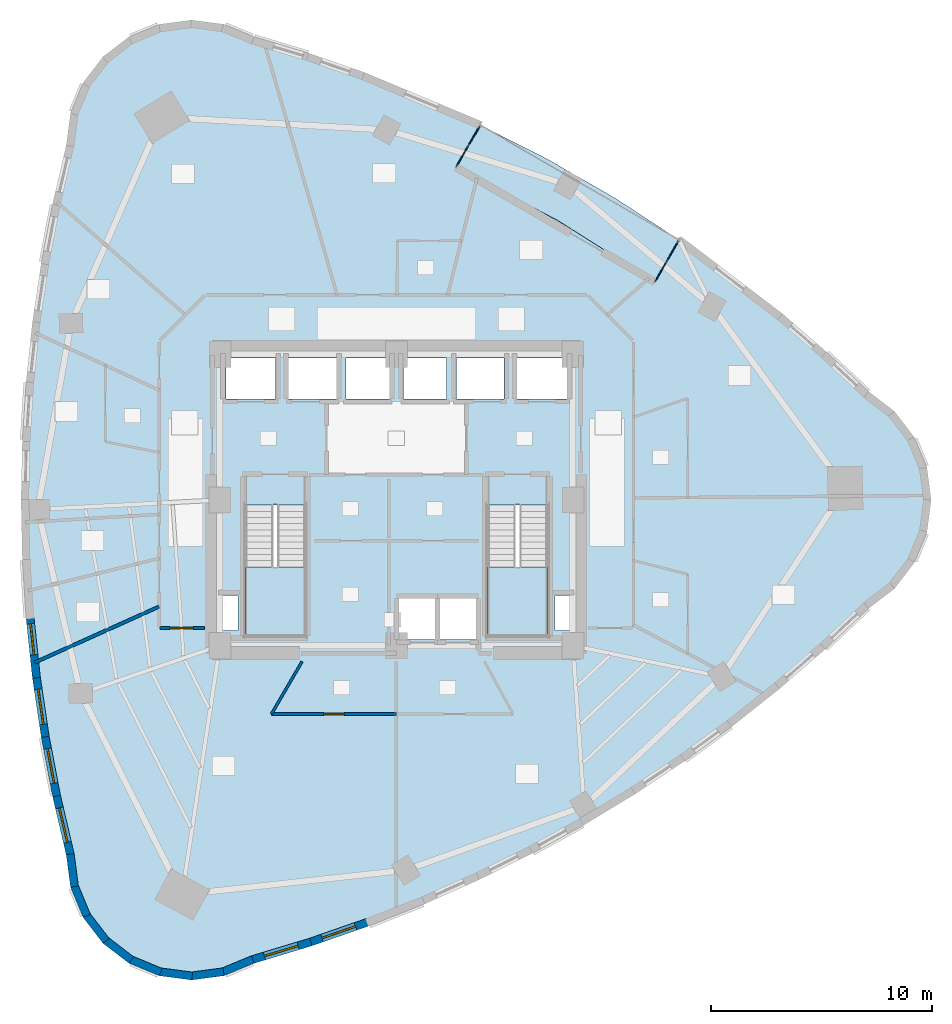
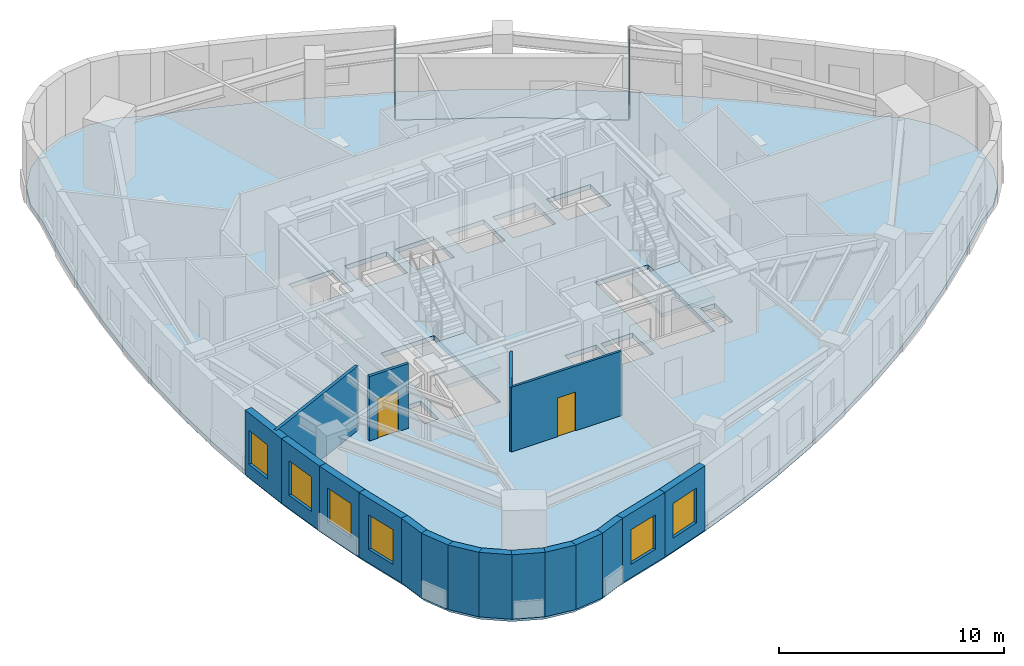
# One storey, part 6 of 13: 18 walls, 12 plates, 6 windows, 4 slabs, 2 doors, 8 openings, 4 elements without a shape of their own.
"""IFC4 building model written with IfcOpenShell, lengths in metres."""

from ifc_helpers import new_model, si_unit, direction, frame, frame_2d, origin, origin_2d, place, context, subcontext, project, spatial, polyline, rectangle, outline, extrude, material, layer, layer_set, type_object, element, fill, aggregate, save


model = new_model("IFC4")

# Units and contexts
model_context = context("Model", 3, precision=1e-05, world=origin(), true_north=direction((0.0, 1.0)))
body_context = subcontext(model_context, "Body", "Model", "MODEL_VIEW")
ifc_project = project(units=[si_unit("LENGTHUNIT", "METRE"), si_unit("AREAUNIT", "SQUARE_METRE"), si_unit("VOLUMEUNIT", "CUBIC_METRE"), si_unit("PLANEANGLEUNIT", "RADIAN"), si_unit("MASSUNIT", "GRAM", prefix="KILO")], contexts=[model_context])

# Site, building, storey
site_placement = place(None, origin())
site = spatial("IfcSite", under=ifc_project, at=site_placement, CompositionType="ELEMENT")
building_placement = place(site_placement, origin())
building = spatial("IfcBuilding", under=site, at=building_placement, Name="Ndelora Gate Hotel", CompositionType="ELEMENT")
storey_placement = place(building_placement, frame((0.0, 0.0, 123.5)))
storey = spatial("IfcBuildingStorey", under=building, at=storey_placement, Name="L30", CompositionType="ELEMENT", Elevation=123.5)

# Curtain wall, plates
ifc_material_1 = material(Name="Bronze Anodised Unitised Aluminium and Low-E Glass", Category="aluminium")
ifc_layer_1 = layer(ifc_material_1, 0.199951171875)
ifc_layer_set_1 = layer_set([ifc_layer_1], Name="Bronze Anodised Unitised Aluminium and Low-E Glass")
curtain_wall_type = type_object("IfcCurtainWallType", Name="CW-SYS-3", PredefinedType="NOTDEFINED", material=ifc_layer_set_1)
curtain_wall_1_placement = place(storey_placement, origin())
curtain_wall_1 = element("IfcCurtainWall", 1, at=curtain_wall_1_placement, inside=storey, type_object=curtain_wall_type, Name="L30 Sky-Garden Loggia Side Curtain Wall CW3-1", PredefinedType="NOTDEFINED")
ifc_material_2 = material(Name="Solar-Control Low-E Insulated Glazing", Category="glass")
ifc_layer_2 = layer(ifc_material_2, 0.048095703125)
ifc_layer_set_2 = layer_set([ifc_layer_2], Name="Solar-Control Low-E Insulated Glazing")
plate_type = type_object("IfcPlateType", Name="PL-CW-GLZ36", PredefinedType="CURTAIN_PANEL", material=ifc_layer_set_2)
plate_1_placement = place(storey_placement, frame((11.994140625, 10.374755859375, 0.05908203125), z_axis=(0.0, 0.0, 1.0), x_axis=(0.500011000366, 0.866019052627, 0.0)))
plate_1 = element("IfcPlate", 2, at=plate_1_placement, type_object=plate_type, Name="CW3 panel 1.1", PredefinedType="CURTAIN_PANEL", context=body_context, shape_type="SweptSolid", body=[
    extrude(rectangle(XDim=1.014404296875, YDim=0.048095703125, at=origin_2d()), origin(), (0.0, 0.0, 1.0), 0.364501953125),
])
plate_2_placement = place(storey_placement, frame((11.994140625, 10.374755859375, 0.4765625), z_axis=(0.0, 0.0, 1.0), x_axis=(0.500011000366, 0.866019052627, 0.0)))
plate_2 = element("IfcPlate", 3, at=plate_2_placement, type_object=plate_type, Name="CW3 panel 1.2", PredefinedType="CURTAIN_PANEL", context=body_context, shape_type="SweptSolid", body=[
    extrude(rectangle(XDim=1.014404296875, YDim=0.048095703125, at=origin_2d()), origin(), (0.0, 0.0, 1.0), 2.447021484375),
])
plate_3_placement = place(storey_placement, frame((11.994140625, 10.374755859375, 2.9765625), z_axis=(0.0, 0.0, 1.0), x_axis=(0.500011000366, 0.866019052627, 0.0)))
plate_3 = element("IfcPlate", 4, at=plate_3_placement, type_object=plate_type, Name="CW3 panel 1.3", PredefinedType="CURTAIN_PANEL", context=body_context, shape_type="SweptSolid", body=[
    extrude(rectangle(XDim=1.014404296875, YDim=0.048095703125, at=origin_2d()), origin(), (0.0, 0.0, 1.0), 0.464599609375),
])
plate_4_placement = place(storey_placement, frame((12.528076171875, 11.299072265625, 0.05908203125), z_axis=(0.0, 0.0, 1.0), x_axis=(0.500011000366, 0.866019052627, 0.0)))
plate_4 = element("IfcPlate", 5, at=plate_4_placement, type_object=plate_type, Name="CW3 panel 2.1", PredefinedType="CURTAIN_PANEL", context=body_context, shape_type="SweptSolid", body=[
    extrude(rectangle(XDim=1.014404296875, YDim=0.048095703125, at=origin_2d()), origin(), (0.0, 0.0, 1.0), 0.364501953125),
])
plate_5_placement = place(storey_placement, frame((12.528076171875, 11.299072265625, 0.4765625), z_axis=(0.0, 0.0, 1.0), x_axis=(0.500011000366, 0.866019052627, 0.0)))
plate_5 = element("IfcPlate", 6, at=plate_5_placement, type_object=plate_type, Name="CW3 panel 2.2", PredefinedType="CURTAIN_PANEL", context=body_context, shape_type="SweptSolid", body=[
    extrude(rectangle(XDim=1.014404296875, YDim=0.048095703125, at=origin_2d()), origin(), (0.0, 0.0, 1.0), 2.447021484375),
])
plate_6_placement = place(storey_placement, frame((12.528076171875, 11.299072265625, 2.9765625), z_axis=(0.0, 0.0, 1.0), x_axis=(0.500011000366, 0.866019052627, 0.0)))
plate_6 = element("IfcPlate", 7, at=plate_6_placement, type_object=plate_type, Name="CW3 panel 2.3", PredefinedType="CURTAIN_PANEL", context=body_context, shape_type="SweptSolid", body=[
    extrude(rectangle(XDim=1.014404296875, YDim=0.048095703125, at=origin_2d()), origin(), (0.0, 0.0, 1.0), 0.464599609375),
])
aggregate(curtain_wall_1, [plate_1, plate_2, plate_3, plate_4, plate_5, plate_6])

curtain_wall_2_placement = place(storey_placement, origin())
curtain_wall_2 = element("IfcCurtainWall", 8, at=curtain_wall_2_placement, inside=storey, type_object=curtain_wall_type, Name="L30 Sky-Garden Loggia Side Curtain Wall CW3-2", PredefinedType="NOTDEFINED")
plate_7_placement = place(storey_placement, frame((3.521484375, 16.4990234375, 0.05908203125), z_axis=(0.0, 0.0, 1.0), x_axis=(-0.500011000366, -0.866019052627, 0.0)))
plate_7 = element("IfcPlate", 9, at=plate_7_placement, type_object=plate_type, Name="CW3 panel 1.1", PredefinedType="CURTAIN_PANEL", context=body_context, shape_type="SweptSolid", body=[
    extrude(rectangle(XDim=1.014404296875, YDim=0.048095703125, at=origin_2d()), origin(), (0.0, 0.0, 1.0), 0.364501953125),
])
plate_8_placement = place(storey_placement, frame((3.521484375, 16.4990234375, 0.4765625), z_axis=(0.0, 0.0, 1.0), x_axis=(-0.500011000366, -0.866019052627, 0.0)))
plate_8 = element("IfcPlate", 10, at=plate_8_placement, type_object=plate_type, Name="CW3 panel 1.2", PredefinedType="CURTAIN_PANEL", context=body_context, shape_type="SweptSolid", body=[
    extrude(rectangle(XDim=1.014404296875, YDim=0.048095703125, at=origin_2d()), origin(), (0.0, 0.0, 1.0), 2.447021484375),
])
plate_9_placement = place(storey_placement, frame((3.521484375, 16.4990234375, 2.9765625), z_axis=(0.0, 0.0, 1.0), x_axis=(-0.500011000366, -0.866019052627, 0.0)))
plate_9 = element("IfcPlate", 11, at=plate_9_placement, type_object=plate_type, Name="CW3 panel 1.3", PredefinedType="CURTAIN_PANEL", context=body_context, shape_type="SweptSolid", body=[
    extrude(rectangle(XDim=1.014404296875, YDim=0.048095703125, at=origin_2d()), origin(), (0.0, 0.0, 1.0), 0.464599609375),
])
plate_10_placement = place(storey_placement, frame((2.987548828125, 15.57470703125, 0.05908203125), z_axis=(0.0, 0.0, 1.0), x_axis=(-0.500011000366, -0.866019052627, 0.0)))
plate_10 = element("IfcPlate", 12, at=plate_10_placement, type_object=plate_type, Name="CW3 panel 2.1", PredefinedType="CURTAIN_PANEL", context=body_context, shape_type="SweptSolid", body=[
    extrude(rectangle(XDim=1.014404296875, YDim=0.048095703125, at=origin_2d()), origin(), (0.0, 0.0, 1.0), 0.364501953125),
])
plate_11_placement = place(storey_placement, frame((2.987548828125, 15.57470703125, 0.4765625), z_axis=(0.0, 0.0, 1.0), x_axis=(-0.500011000366, -0.866019052627, 0.0)))
plate_11 = element("IfcPlate", 13, at=plate_11_placement, type_object=plate_type, Name="CW3 panel 2.2", PredefinedType="CURTAIN_PANEL", context=body_context, shape_type="SweptSolid", body=[
    extrude(rectangle(XDim=1.014404296875, YDim=0.048095703125, at=origin_2d()), origin(), (0.0, 0.0, 1.0), 2.447021484375),
])
plate_12_placement = place(storey_placement, frame((2.987548828125, 15.57470703125, 2.9765625), z_axis=(0.0, 0.0, 1.0), x_axis=(-0.500011000366, -0.866019052627, 0.0)))
plate_12 = element("IfcPlate", 14, at=plate_12_placement, type_object=plate_type, Name="CW3 panel 2.3", PredefinedType="CURTAIN_PANEL", context=body_context, shape_type="SweptSolid", body=[
    extrude(rectangle(XDim=1.014404296875, YDim=0.048095703125, at=origin_2d()), origin(), (0.0, 0.0, 1.0), 0.464599609375),
])
aggregate(curtain_wall_2, [plate_7, plate_8, plate_9, plate_10, plate_11, plate_12])

# Stair, slab
ifc_material_3 = material(Name="Precast concrete C40/50", Category="concrete")
stair_type = type_object("IfcStairType", Name="STR-DOG-CORE", PredefinedType="HALF_TURN_STAIR", material=ifc_material_3)
stair_1_placement = place(storey_placement, origin())
stair_1 = element("IfcStair", 15, at=stair_1_placement, inside=storey, type_object=stair_type, Name="L30 Protected Core Exit Stair ST4", PredefinedType="HALF_TURN_STAIR")
ifc_layer_3 = layer(ifc_material_3, 0.219970703125)
ifc_layer_set_3 = layer_set([ifc_layer_3], Name="Precast concrete C40/50")
slab_type_1 = type_object("IfcSlabType", Name="SL-LAND-220", PredefinedType="LANDING", material=ifc_layer_set_3)
slab_1_placement = place(storey_placement, frame((0.0, 0.0, 1.675048828125)))
slab_1 = element("IfcSlab", 16, at=slab_1_placement, type_object=slab_type_1, Name="ST4 landing 1", PredefinedType="LANDING", context=body_context, shape_type="SweptSolid", body=[
    extrude(outline(polyline([(-6.85009765625, -3.030029296875), (-6.85009765625, -6.14990234375), (-4.1298828125, -6.14990234375), (-4.1298828125, -3.030029296875), (-6.85009765625, -3.030029296875)])), origin(), (0.0, 0.0, 1.0), 0.199951171875),
])
aggregate(stair_1, [slab_1])

stair_2_placement = place(storey_placement, origin())
stair_2 = element("IfcStair", 17, at=stair_2_placement, inside=storey, type_object=stair_type, Name="L30 Protected Core Exit Stair ST5", PredefinedType="HALF_TURN_STAIR")
slab_2_placement = place(storey_placement, frame((0.0, 0.0, 1.675048828125)))
slab_2 = element("IfcSlab", 18, at=slab_2_placement, type_object=slab_type_1, Name="ST5 landing 1", PredefinedType="LANDING", context=body_context, shape_type="SweptSolid", body=[
    extrude(outline(polyline([(4.1298828125, -3.030029296875), (4.1298828125, -6.14990234375), (6.85009765625, -6.14990234375), (6.85009765625, -3.030029296875), (4.1298828125, -3.030029296875)])), origin(), (0.0, 0.0, 1.0), 0.199951171875),
])
aggregate(stair_2, [slab_2])

# Slabs
ifc_layer_4 = layer(ifc_material_3, 0.239990234375)
ifc_layer_set_4 = layer_set([ifc_layer_4], Name="Precast concrete C40/50")
slab_type_2 = type_object("IfcSlabType", Name="SL-TER-240", PredefinedType="FLOOR", material=ifc_layer_set_4)
slab_3_placement = place(storey_placement, frame((0.0, 0.0, -0.239990234375)))
element("IfcSlab", 19, at=slab_3_placement, inside=storey, type_object=slab_type_2, Name="L30 Sky Garden Loggia Terrace Slab", PredefinedType="FLOOR", context=body_context, shape_type="SweptSolid", body=[
    extrude(outline(polyline([(11.711181640625, 9.88427734375), (12.81103515625, 11.78955078125), (9.933837890625, 13.669921875), (6.87158203125, 15.43798828125), (3.804443359375, 16.989501953125), (2.70458984375, 15.084228515625), (7.315185546875, 12.670166015625), (11.711181640625, 9.88427734375)])), origin(), (0.0, 0.0, 1.0), 0.239990234375),
])
ifc_material_4 = material(Name="Concrete C40/50", Category="concrete")
ifc_layer_5 = layer(ifc_material_4, 0.25)
ifc_layer_set_5 = layer_set([ifc_layer_5], Name="Concrete C40/50")
slab_type_3 = type_object("IfcSlabType", Name="SL-TWR-250", PredefinedType="FLOOR", material=ifc_layer_set_5)
slab_4_placement = place(storey_placement, frame((0.0, 0.0, -0.25)))
element("IfcSlab", 20, at=slab_4_placement, inside=storey, type_object=slab_type_3, Name="L30 Structural Floor Slab", PredefinedType="FLOOR", context=body_context, shape_type="SweptSolid", body=[
    extrude(outline(polyline([(-6.5302734375, 20.8369140625), (-7.856689453125, 21.38623046875), (-9.2802734375, 21.57373046875), (-10.70361328125, 21.38623046875), (-12.0302734375, 20.8369140625), (-13.169189453125, 19.962890625), (-14.043212890625, 18.82373046875), (-14.5927734375, 17.497314453125), (-14.7802734375, 16.07373046875), (-15.406494140625, 13.394775390625), (-15.919189453125, 10.7158203125), (-16.317626953125, 8.036865234375), (-16.602294921875, 5.35791015625), (-16.773193359375, 2.678955078125), (-16.830078125, 0.0), (-16.773193359375, -2.678955078125), (-16.602294921875, -5.35791015625), (-16.317626953125, -8.036865234375), (-15.919189453125, -10.7158203125), (-15.406494140625, -13.394775390625), (-14.7802734375, -16.07373046875), (-14.5927734375, -17.497314453125), (-14.043212890625, -18.82373046875), (-13.169189453125, -19.962890625), (-12.0302734375, -20.8369140625), (-10.70361328125, -21.38623046875), (-9.2802734375, -21.57373046875), (-7.856689453125, -21.38623046875), (-6.5302734375, -20.8369140625), (-3.89697265625, -20.039794921875), (-1.320556640625, -19.144287109375), (1.19873046875, -18.14990234375), (3.6611328125, -17.056884765625), (6.066650390625, -15.865478515625), (8.4150390625, -14.575439453125), (10.706787109375, -13.1865234375), (12.94140625, -11.69921875), (15.118896484375, -10.113037109375), (17.23974609375, -8.428466796875), (19.303466796875, -6.64501953125), (21.310302734375, -4.76318359375), (22.449462890625, -3.88916015625), (23.323486328125, -2.75), (23.872802734375, -1.423583984375), (24.060302734375, 0.0), (23.872802734375, 1.423583984375), (23.323486328125, 2.75), (22.449462890625, 3.88916015625), (21.310302734375, 4.76318359375), (19.385009765625, 6.57177734375), (17.406982421875, 8.289306640625), (12.81103515625, 11.78955078125), (11.711181640625, 9.88427734375), (7.315185546875, 12.670166015625), (2.70458984375, 15.084228515625), (3.804443359375, 16.989501953125), (-1.524658203125, 19.219482421875), (-4.001220703125, 20.073486328125), (-6.5302734375, 20.8369140625)]), holes=[polyline([(-6.85009765625, -0.22998046875), (-6.85009765625, -6.14990234375), (-4.1298828125, -6.14990234375), (-4.1298828125, -0.22998046875), (-6.85009765625, -0.22998046875)]), polyline([(4.1298828125, -0.22998046875), (4.1298828125, -6.14990234375), (6.85009765625, -6.14990234375), (6.85009765625, -0.22998046875), (4.1298828125, -0.22998046875)]), polyline([(-7.72998046875, 4.570068359375), (-5.469970703125, 4.570068359375), (-5.469970703125, 6.429931640625), (-7.72998046875, 6.429931640625), (-7.72998046875, 4.570068359375)]), polyline([(5.469970703125, 4.570068359375), (7.72998046875, 4.570068359375), (7.72998046875, 6.429931640625), (5.469970703125, 6.429931640625), (5.469970703125, 4.570068359375)]), polyline([(-4.8798828125, 4.570068359375), (-2.719970703125, 4.570068359375), (-2.719970703125, 6.429931640625), (-4.8798828125, 6.429931640625), (-4.8798828125, 4.570068359375)]), polyline([(2.719970703125, 4.570068359375), (4.8798828125, 4.570068359375), (4.8798828125, 6.429931640625), (2.719970703125, 6.429931640625), (2.719970703125, 4.570068359375)]), polyline([(0.1201171875, -6.330078125), (1.739990234375, -6.330078125), (1.739990234375, -4.469970703125), (0.1201171875, -4.469970703125), (0.1201171875, -6.330078125)]), polyline([(1.97998046875, -6.330078125), (3.60009765625, -6.330078125), (3.60009765625, -4.469970703125), (1.97998046875, -4.469970703125), (1.97998046875, -6.330078125)]), polyline([(-2.280029296875, 4.570068359375), (-0.320068359375, 4.570068359375), (-0.320068359375, 6.429931640625), (-2.280029296875, 6.429931640625), (-2.280029296875, 4.570068359375)]), polyline([(0.320068359375, 4.570068359375), (2.280029296875, 4.570068359375), (2.280029296875, 6.429931640625), (0.320068359375, 6.429931640625), (0.320068359375, 4.570068359375)]), polyline([(-7.89990234375, -5.919921875), (-7.179931640625, -5.919921875), (-7.179931640625, -4.320068359375), (-7.89990234375, -4.320068359375), (-7.89990234375, -5.919921875)]), polyline([(7.179931640625, -5.919921875), (7.89990234375, -5.919921875), (7.89990234375, -4.320068359375), (7.179931640625, -4.320068359375), (7.179931640625, -5.919921875)])]), origin(), (0.0, 0.0, 1.0), 0.25),
])

# Wall, opening, window
ifc_material_5 = material(Name="Clay Brick Masonry", Category="masonry")
ifc_layer_6 = layer(ifc_material_5, 0.360107421875)
ifc_layer_set_6 = layer_set([ifc_layer_6], Name="Clay Brick Masonry")
wall_type_1 = type_object("IfcWallType", Name="WL-BRICK-360", PredefinedType="SOLIDWALL", material=ifc_layer_set_6)
wall_1_placement = place(storey_placement, frame((-16.315185546875, -8.061767578125, 0.0), z_axis=(0.0, 0.0, 1.0), x_axis=(-0.105606362296, 0.994408012962, 0.0)))
wall_1 = element("IfcWall", 21, at=wall_1_placement, inside=storey, type_object=wall_type_1, Name="L30 Tower Brick Pier-and-Spandrel Wall TWR-17", PredefinedType="SOLIDWALL", context=body_context, shape_type="SweptSolid", body=[
    extrude(rectangle(XDim=2.744140625, YDim=0.360107421875, at=frame_2d((1.3720703125, 0.0))), origin(), (0.0, 0.0, 1.0), 3.5),
])
opening_1_placement = place(wall_1_placement, frame((1.06005859375, 0.0, 0.719970703125)))
opening_1 = element("IfcOpeningElement", 22, at=opening_1_placement, cuts=wall_1, Name="Opening W02", PredefinedType="OPENING", context=body_context, shape_type="SweptSolid", body=[
    extrude(rectangle(XDim=1.39990234375, YDim=1.840087890625, at=frame_2d((0.699951171875, 0.919921875))), frame((0.0, 0.18994140625, 0.0), z_axis=(0.0, -1.0, 0.0), x_axis=(1.0, 0.0, 0.0)), (0.0, 0.0, 1.0), 0.380126953125),
])
ifc_material_6 = material(Name="Insulated Low-E Double Glazing in Bronze Aluminium Frame", Category="aluminium")
window_type_1 = type_object("IfcWindowType", Name="WN-DEEP-1400", PartitioningType="SINGLE_PANEL", PredefinedType="WINDOW", material=ifc_material_6)
window_1_placement = place(opening_1_placement, origin())
window_1 = element("IfcWindow", 23, at=window_1_placement, inside=storey, type_object=window_type_1, Name="L30 Deep-Set Brick-Pier Window W02", OverallHeight=1.840087890625, OverallWidth=1.39990234375, PartitioningType="SINGLE_PANEL", PredefinedType="WINDOW", context=body_context, shape_type="SweptSolid", body=[
    extrude(rectangle(XDim=1.39990234375, YDim=1.840087890625, at=frame_2d((0.699951171875, 0.919921875))), frame((0.0, 0.030029296875, 0.0), z_axis=(0.0, -1.0, 0.0), x_axis=(1.0, 0.0, 0.0)), (0.0, 0.0, 1.0), 0.06005859375),
])
fill(opening_1, window_1)

wall_2_placement = place(storey_placement, frame((-15.915283203125, -10.740478515625, 0.0), z_axis=(0.0, 0.0, 1.0), x_axis=(-0.147193392227, 0.98910773189, 0.0)))
wall_2 = element("IfcWall", 24, at=wall_2_placement, inside=storey, type_object=wall_type_1, Name="L30 Tower Brick Pier-and-Spandrel Wall TWR-18", PredefinedType="SOLIDWALL", context=body_context, shape_type="SweptSolid", body=[
    extrude(rectangle(XDim=2.75830078125, YDim=0.360107421875, at=frame_2d((1.379150390625, 0.0))), origin(), (0.0, 0.0, 1.0), 3.5),
])
opening_2_placement = place(wall_2_placement, frame((0.5791015625, 0.0, 0.719970703125)))
opening_2 = element("IfcOpeningElement", 25, at=opening_2_placement, cuts=wall_2, Name="Opening W01", PredefinedType="OPENING", context=body_context, shape_type="SweptSolid", body=[
    extrude(rectangle(XDim=1.60009765625, YDim=1.8798828125, at=frame_2d((0.800048828125, 0.93994140625))), frame((0.0, 0.18994140625, 0.0), z_axis=(0.0, -1.0, 0.0), x_axis=(1.0, 0.0, 0.0)), (0.0, 0.0, 1.0), 0.380126953125),
])
window_type_2 = type_object("IfcWindowType", Name="WN-DEEP-1600", PartitioningType="SINGLE_PANEL", PredefinedType="WINDOW", material=ifc_material_6)
window_2_placement = place(opening_2_placement, origin())
window_2 = element("IfcWindow", 26, at=window_2_placement, inside=storey, type_object=window_type_2, Name="L30 Deep-Set Brick-Pier Window W01", OverallHeight=1.8798828125, OverallWidth=1.60009765625, PartitioningType="SINGLE_PANEL", PredefinedType="WINDOW", context=body_context, shape_type="SweptSolid", body=[
    extrude(rectangle(XDim=1.60009765625, YDim=1.8798828125, at=frame_2d((0.800048828125, 0.93994140625))), frame((0.0, 0.030029296875, 0.0), z_axis=(0.0, -1.0, 0.0), x_axis=(1.0, 0.0, 0.0)), (0.0, 0.0, 1.0), 0.06005859375),
])
fill(opening_2, window_2)

wall_3_placement = place(storey_placement, frame((-15.40185546875, -13.41943359375, 0.0), z_axis=(0.0, 0.0, 1.0), x_axis=(-0.187911722621, 0.982185921555, 0.0)))
wall_3 = element("IfcWall", 27, at=wall_3_placement, inside=storey, type_object=wall_type_1, Name="L30 Tower Brick Pier-and-Spandrel Wall TWR-19", PredefinedType="SOLIDWALL", context=body_context, shape_type="SweptSolid", body=[
    extrude(rectangle(XDim=2.77783203125, YDim=0.360107421875, at=frame_2d((1.388916015625, 0.0))), origin(), (0.0, 0.0, 1.0), 3.5),
])
opening_3_placement = place(wall_3_placement, frame((0.5888671875, 0.0, 0.719970703125)))
opening_3 = element("IfcOpeningElement", 28, at=opening_3_placement, cuts=wall_3, Name="Opening W01", PredefinedType="OPENING", context=body_context, shape_type="SweptSolid", body=[
    extrude(rectangle(XDim=1.60009765625, YDim=1.8798828125, at=frame_2d((0.800048828125, 0.93994140625))), frame((0.0, 0.18994140625, 0.0), z_axis=(0.0, -1.0, 0.0), x_axis=(1.0, 0.0, 0.0)), (0.0, 0.0, 1.0), 0.380126953125),
])
window_3_placement = place(opening_3_placement, origin())
window_3 = element("IfcWindow", 29, at=window_3_placement, inside=storey, type_object=window_type_2, Name="L30 Deep-Set Brick-Pier Window W01", OverallHeight=1.8798828125, OverallWidth=1.60009765625, PartitioningType="SINGLE_PANEL", PredefinedType="WINDOW", context=body_context, shape_type="SweptSolid", body=[
    extrude(rectangle(XDim=1.60009765625, YDim=1.8798828125, at=frame_2d((0.800048828125, 0.93994140625))), frame((0.0, 0.030029296875, 0.0), z_axis=(0.0, -1.0, 0.0), x_axis=(1.0, 0.0, 0.0)), (0.0, 0.0, 1.0), 0.06005859375),
])
fill(opening_3, window_3)

wall_4_placement = place(storey_placement, frame((-14.7744140625, -16.097900390625, 0.0), z_axis=(0.0, 0.0, 1.0), x_axis=(-0.22776138749, 0.973716976523, 0.0)))
wall_4 = element("IfcWall", 30, at=wall_4_placement, inside=storey, type_object=wall_type_1, Name="L30 Tower Brick Pier-and-Spandrel Wall TWR-20", PredefinedType="SOLIDWALL", context=body_context, shape_type="SweptSolid", body=[
    extrude(rectangle(XDim=2.801025390625, YDim=0.360107421875, at=frame_2d((1.400390625, 0.0))), origin(), (0.0, 0.0, 1.0), 3.5),
])
opening_4_placement = place(wall_4_placement, frame((0.6005859375, 0.0, 0.719970703125)))
opening_4 = element("IfcOpeningElement", 31, at=opening_4_placement, cuts=wall_4, Name="Opening W01", PredefinedType="OPENING", context=body_context, shape_type="SweptSolid", body=[
    extrude(rectangle(XDim=1.60009765625, YDim=1.8798828125, at=frame_2d((0.800048828125, 0.93994140625))), frame((0.0, 0.18994140625, 0.0), z_axis=(0.0, -1.0, 0.0), x_axis=(1.0, 0.0, 0.0)), (0.0, 0.0, 1.0), 0.380126953125),
])
window_4_placement = place(opening_4_placement, origin())
window_4 = element("IfcWindow", 32, at=window_4_placement, inside=storey, type_object=window_type_2, Name="L30 Deep-Set Brick-Pier Window W01", OverallHeight=1.8798828125, OverallWidth=1.60009765625, PartitioningType="SINGLE_PANEL", PredefinedType="WINDOW", context=body_context, shape_type="SweptSolid", body=[
    extrude(rectangle(XDim=1.60009765625, YDim=1.8798828125, at=frame_2d((0.800048828125, 0.93994140625))), frame((0.0, 0.030029296875, 0.0), z_axis=(0.0, -1.0, 0.0), x_axis=(1.0, 0.0, 0.0)), (0.0, 0.0, 1.0), 0.06005859375),
])
fill(opening_4, window_4)

# Walls
wall_5_placement = place(storey_placement, frame((-14.589599609375, -17.52197265625, 0.0), z_axis=(0.0, 0.0, 1.0), x_axis=(-0.130463013345, 0.991453176983, 0.0)))
element("IfcWall", 33, at=wall_5_placement, inside=storey, type_object=wall_type_1, Name="L30 Tower Brick Pier-and-Spandrel Wall TWR-21", PredefinedType="SOLIDWALL", context=body_context, shape_type="SweptSolid", body=[
    extrude(rectangle(XDim=1.48583984375, YDim=0.360107421875, at=frame_2d((0.742919921875, 0.0))), origin(), (0.0, 0.0, 1.0), 3.5),
])
wall_6_placement = place(storey_placement, frame((-14.03369140625, -18.8466796875, 0.0), z_axis=(0.0, 0.0, 1.0), x_axis=(-0.382724298331, 0.923862604215, 0.0)))
element("IfcWall", 34, at=wall_6_placement, inside=storey, type_object=wall_type_1, Name="L30 Tower Brick Pier-and-Spandrel Wall TWR-22", PredefinedType="SOLIDWALL", context=body_context, shape_type="SweptSolid", body=[
    extrude(rectangle(XDim=1.485595703125, YDim=0.360107421875, at=frame_2d((0.74267578125, 0.0))), origin(), (0.0, 0.0, 1.0), 3.5),
])
for number, where, z_axis, x_axis, name in (
    (35, (-13.154052734375, -19.982666015625, 0.0), (0.0, 0.0, 1.0), (-0.608797140611, 0.793325936538, 0.0), "L30 Tower Brick Pier-and-Spandrel Wall TWR-23"),
    (36, (-12.010498046875, -20.85205078125, 0.0), (0.0, 0.0, 1.0), (-0.793325936538, 0.608797140611, 0.0), "L30 Tower Brick Pier-and-Spandrel Wall TWR-24"),
):
    element("IfcWall", number, at=place(storey_placement, frame(where, z_axis=z_axis, x_axis=x_axis)), inside=storey, type_object=wall_type_1, Name=name, PredefinedType="SOLIDWALL", context=body_context, shape_type="SweptSolid", body=[
        extrude(rectangle(XDim=1.48583984375, YDim=0.360107421875, at=frame_2d((0.742919921875, 0.0))), origin(), (0.0, 0.0, 1.0), 3.5),
    ])
wall_7_placement = place(storey_placement, frame((-10.6806640625, -21.39599609375, 0.0), z_axis=(0.0, 0.0, 1.0), x_axis=(-0.923862604215, 0.382724298331, 0.0)))
element("IfcWall", 37, at=wall_7_placement, inside=storey, type_object=wall_type_1, Name="L30 Tower Brick Pier-and-Spandrel Wall TWR-25", PredefinedType="SOLIDWALL", context=body_context, shape_type="SweptSolid", body=[
    extrude(rectangle(XDim=1.485595703125, YDim=0.360107421875, at=frame_2d((0.74267578125, 0.0))), origin(), (0.0, 0.0, 1.0), 3.5),
])
for number, where, z_axis, x_axis, name in (
    (38, (-9.25537109375, -21.576904296875, 0.0), (0.0, 0.0, 1.0), (-0.991453176983, 0.130463013345, 0.0), "L30 Tower Brick Pier-and-Spandrel Wall TWR-26"),
    (39, (-7.831787109375, -21.383056640625, 0.0), (0.0, 0.0, 1.0), (-0.991453176983, -0.130463013345, 0.0), "L30 Tower Brick Pier-and-Spandrel Wall TWR-27"),
    (40, (-6.507080078125, -20.827392578125, 0.0), (0.0, 0.0, 1.0), (-0.923886669429, -0.382666201867, 0.0), "L30 Tower Brick Pier-and-Spandrel Wall TWR-28"),
):
    element("IfcWall", number, at=place(storey_placement, frame(where, z_axis=z_axis, x_axis=x_axis)), inside=storey, type_object=wall_type_1, Name=name, PredefinedType="SOLIDWALL", context=body_context, shape_type="SweptSolid", body=[
        extrude(rectangle(XDim=1.48583984375, YDim=0.360107421875, at=frame_2d((0.742919921875, 0.0))), origin(), (0.0, 0.0, 1.0), 3.5),
    ])

# Wall, opening, window
wall_8_placement = place(storey_placement, frame((-3.873046875, -20.03271484375, 0.0), z_axis=(0.0, 0.0, 1.0), x_axis=(-0.957142340708, -0.289617920067, 0.0)))
wall_8 = element("IfcWall", 41, at=wall_8_placement, inside=storey, type_object=wall_type_1, Name="L30 Tower Brick Pier-and-Spandrel Wall TWR-29", PredefinedType="SOLIDWALL", context=body_context, shape_type="SweptSolid", body=[
    extrude(rectangle(XDim=2.80126953125, YDim=0.360107421875, at=frame_2d((1.400634765625, 0.0))), origin(), (0.0, 0.0, 1.0), 3.5),
])
opening_5_placement = place(wall_8_placement, frame((0.6005859375, 0.0, 0.719970703125)))
opening_5 = element("IfcOpeningElement", 42, at=opening_5_placement, cuts=wall_8, Name="Opening W03", PredefinedType="OPENING", context=body_context, shape_type="SweptSolid", body=[
    extrude(rectangle(XDim=1.60009765625, YDim=1.8798828125, at=frame_2d((0.800048828125, 0.93994140625))), frame((0.0, 0.18994140625, 0.0), z_axis=(0.0, -1.0, 0.0), x_axis=(1.0, 0.0, 0.0)), (0.0, 0.0, 1.0), 0.380126953125),
])
window_type_3 = type_object("IfcWindowType", Name="WN-CORN-2100", PartitioningType="SINGLE_PANEL", PredefinedType="WINDOW", material=ifc_material_6)
window_5_placement = place(opening_5_placement, origin())
window_5 = element("IfcWindow", 43, at=window_5_placement, inside=storey, type_object=window_type_3, Name="L30 Deep-Set Brick-Pier Window W03", OverallHeight=1.8798828125, OverallWidth=1.60009765625, PartitioningType="SINGLE_PANEL", PredefinedType="WINDOW", context=body_context, shape_type="SweptSolid", body=[
    extrude(rectangle(XDim=1.60009765625, YDim=1.8798828125, at=frame_2d((0.800048828125, 0.93994140625))), frame((0.0, 0.030029296875, 0.0), z_axis=(0.0, -1.0, 0.0), x_axis=(1.0, 0.0, 0.0)), (0.0, 0.0, 1.0), 0.06005859375),
])
fill(opening_5, window_5)

wall_9_placement = place(storey_placement, frame((-1.297119140625, -19.135986328125, 0.0), z_axis=(0.0, 0.0, 1.0), x_axis=(-0.944534739095, -0.328411520266, 0.0)))
wall_9 = element("IfcWall", 44, at=wall_9_placement, inside=storey, type_object=wall_type_1, Name="L30 Tower Brick Pier-and-Spandrel Wall TWR-30", PredefinedType="SOLIDWALL", context=body_context, shape_type="SweptSolid", body=[
    extrude(rectangle(XDim=2.77734375, YDim=0.360107421875, at=frame_2d((1.388671875, 0.0))), origin(), (0.0, 0.0, 1.0), 3.5),
])
opening_6_placement = place(wall_9_placement, frame((0.5888671875, 0.0, 0.719970703125)))
opening_6 = element("IfcOpeningElement", 45, at=opening_6_placement, cuts=wall_9, Name="Opening W01", PredefinedType="OPENING", context=body_context, shape_type="SweptSolid", body=[
    extrude(rectangle(XDim=1.60009765625, YDim=1.8798828125, at=frame_2d((0.800048828125, 0.93994140625))), frame((0.0, 0.18994140625, 0.0), z_axis=(0.0, -1.0, 0.0), x_axis=(1.0, 0.0, 0.0)), (0.0, 0.0, 1.0), 0.380126953125),
])
window_6_placement = place(opening_6_placement, origin())
window_6 = element("IfcWindow", 46, at=window_6_placement, inside=storey, type_object=window_type_2, Name="L30 Deep-Set Brick-Pier Window W01", OverallHeight=1.8798828125, OverallWidth=1.60009765625, PartitioningType="SINGLE_PANEL", PredefinedType="WINDOW", context=body_context, shape_type="SweptSolid", body=[
    extrude(rectangle(XDim=1.60009765625, YDim=1.8798828125, at=frame_2d((0.800048828125, 0.93994140625))), frame((0.0, 0.030029296875, 0.0), z_axis=(0.0, -1.0, 0.0), x_axis=(1.0, 0.0, 0.0)), (0.0, 0.0, 1.0), 0.06005859375),
])
fill(opening_6, window_6)

# Wall, opening, door
ifc_material_7 = material(Name="Fire-Rated Gypsum Stud Partition", Category="gypsum")
ifc_layer_7 = layer(ifc_material_7, 0.14990234375)
ifc_layer_set_7 = layer_set([ifc_layer_7], Name="Fire-Rated Gypsum Stud Partition")
wall_type_2 = type_object("IfcWallType", Name="WL-PART-150", PredefinedType="PARTITIONING", material=ifc_layer_set_7)
wall_10_placement = place(storey_placement, frame((-8.68994140625, -5.800048828125, 0.0), z_axis=(0.0, 0.0, 1.0), x_axis=(-1.0, 0.0, 0.0)))
wall_10 = element("IfcWall", 47, at=wall_10_placement, inside=storey, type_object=wall_type_2, Name="L30 Interior Wall IW-5", PredefinedType="PARTITIONING", context=body_context, shape_type="SweptSolid", body=[
    extrude(rectangle(XDim=2.02001953125, YDim=0.14990234375, at=frame_2d((1.010009765625, 0.0))), origin(), (0.0, 0.0, 1.0), 3.5),
])
opening_7_placement = place(wall_10_placement, frame((0.52001953125, 0.0, 0.0)))
opening_7 = element("IfcOpeningElement", 48, at=opening_7_placement, cuts=wall_10, Name="Opening D07", PredefinedType="OPENING", context=body_context, shape_type="SweptSolid", body=[
    extrude(rectangle(XDim=1.06005859375, YDim=2.14990234375, at=frame_2d((0.530029296875, 1.074951171875))), frame((0.0, 0.0849609375, 0.0), z_axis=(0.0, -1.0, 0.0), x_axis=(1.0, 0.0, 0.0)), (0.0, 0.0, 1.0), 0.169921875),
])
ifc_material_8 = material(Name="Diplomatic Suite Acoustic Entrance Door", Category="wood")
door_type_1 = type_object("IfcDoorType", Name="DR-SUITE-1060", OperationType="SINGLE_SWING_LEFT", PredefinedType="DOOR", material=ifc_material_8)
door_1_placement = place(opening_7_placement, origin())
door_1 = element("IfcDoor", 49, at=door_1_placement, inside=storey, type_object=door_type_1, Name="L30 Corner Diplomatic Suite 3301 Entrance Door", OperationType="SINGLE_SWING_RIGHT", OverallHeight=2.14990234375, OverallWidth=1.06005859375, PredefinedType="DOOR", context=body_context, shape_type="SweptSolid", body=[
    extrude(rectangle(XDim=1.06005859375, YDim=2.14990234375, at=frame_2d((0.530029296875, 1.074951171875))), frame((0.0, 0.02490234375, 0.0), z_axis=(0.0, -1.0, 0.0), x_axis=(1.0, 0.0, 0.0)), (0.0, 0.0, 1.0), 0.050048828125),
])
fill(opening_7, door_1)

# Wall
wall_11_placement = place(storey_placement, frame((-10.75, -4.831298828125, 0.0), z_axis=(0.0, 0.0, 1.0), x_axis=(-0.91212311918, -0.409916351781, 0.0)))
element("IfcWall", 50, at=wall_11_placement, inside=storey, type_object=wall_type_2, Name="L30 Interior Wall IW-5", PredefinedType="PARTITIONING", context=body_context, shape_type="SweptSolid", body=[
    extrude(rectangle(XDim=6.18212890625, YDim=0.14990234375, at=frame_2d((3.091064453125, 0.0))), origin(), (0.0, 0.0, 1.0), 3.5),
])

# Wall, opening, door
ifc_material_9 = material(Name="Moisture-Resistant Bathroom Tile Partition", Category="gypsum")
ifc_layer_8 = layer(ifc_material_9, 0.1201171875)
ifc_layer_set_8 = layer_set([ifc_layer_8], Name="Moisture-Resistant Bathroom Tile Partition")
wall_type_3 = type_object("IfcWallType", Name="WL-WET-120", PredefinedType="PARTITIONING", material=ifc_layer_set_8)
wall_12_placement = place(storey_placement, frame((0.0, -9.699951171875, 0.0), z_axis=(0.0, 0.0, 1.0), x_axis=(-1.0, 0.0, 0.0)))
wall_12 = element("IfcWall", 51, at=wall_12_placement, inside=storey, type_object=wall_type_3, Name="L30 Interior Wall IW-7", PredefinedType="PARTITIONING", context=body_context, shape_type="SweptSolid", body=[
    extrude(rectangle(XDim=5.660888671875, YDim=0.1201171875, at=frame_2d((2.83056640625, 0.0))), origin(), (0.0, 0.0, 1.0), 3.5),
])
opening_8_placement = place(wall_12_placement, frame((2.37060546875, 0.0, 0.0)))
opening_8 = element("IfcOpeningElement", 52, at=opening_8_placement, cuts=wall_12, Name="Opening D03", PredefinedType="OPENING", context=body_context, shape_type="SweptSolid", body=[
    extrude(rectangle(XDim=0.919921875, YDim=2.10009765625, at=frame_2d((0.4599609375, 1.050048828125))), frame((0.0, 0.070068359375, 0.0), z_axis=(0.0, -1.0, 0.0), x_axis=(1.0, 0.0, 0.0)), (0.0, 0.0, 1.0), 0.14013671875),
])
ifc_material_10 = material(Name="Moisture-Resistant Hardwood En-Suite Door", Category="wood")
door_type_2 = type_object("IfcDoorType", Name="DR-BATH-920", OperationType="SINGLE_SWING_LEFT", PredefinedType="DOOR", material=ifc_material_10)
door_2_placement = place(opening_8_placement, origin())
door_2 = element("IfcDoor", 53, at=door_2_placement, inside=storey, type_object=door_type_2, Name="L30 En-suite Bathroom 3301 Door", OperationType="SINGLE_SWING_RIGHT", OverallHeight=2.10009765625, OverallWidth=0.919921875, PredefinedType="DOOR", context=body_context, shape_type="SweptSolid", body=[
    extrude(rectangle(XDim=0.919921875, YDim=2.10009765625, at=frame_2d((0.4599609375, 1.050048828125))), frame((0.0, 0.02490234375, 0.0), z_axis=(0.0, -1.0, 0.0), x_axis=(1.0, 0.0, 0.0)), (0.0, 0.0, 1.0), 0.050048828125),
])
fill(opening_8, door_2)

# Wall
wall_13_placement = place(storey_placement, frame((-5.660888671875, -9.699951171875, 0.0), z_axis=(0.0, 0.0, 1.0), x_axis=(0.50404729756, 0.863676051435, 0.0)))
element("IfcWall", 54, at=wall_13_placement, inside=storey, type_object=wall_type_3, Name="L30 Interior Wall IW-7", PredefinedType="PARTITIONING", context=body_context, shape_type="SweptSolid", body=[
    extrude(rectangle(XDim=2.755615234375, YDim=0.1201171875, at=frame_2d((1.3779296875, 0.0))), origin(), (0.0, 0.0, 1.0), 3.5),
])

save(model, "model.ifc")
